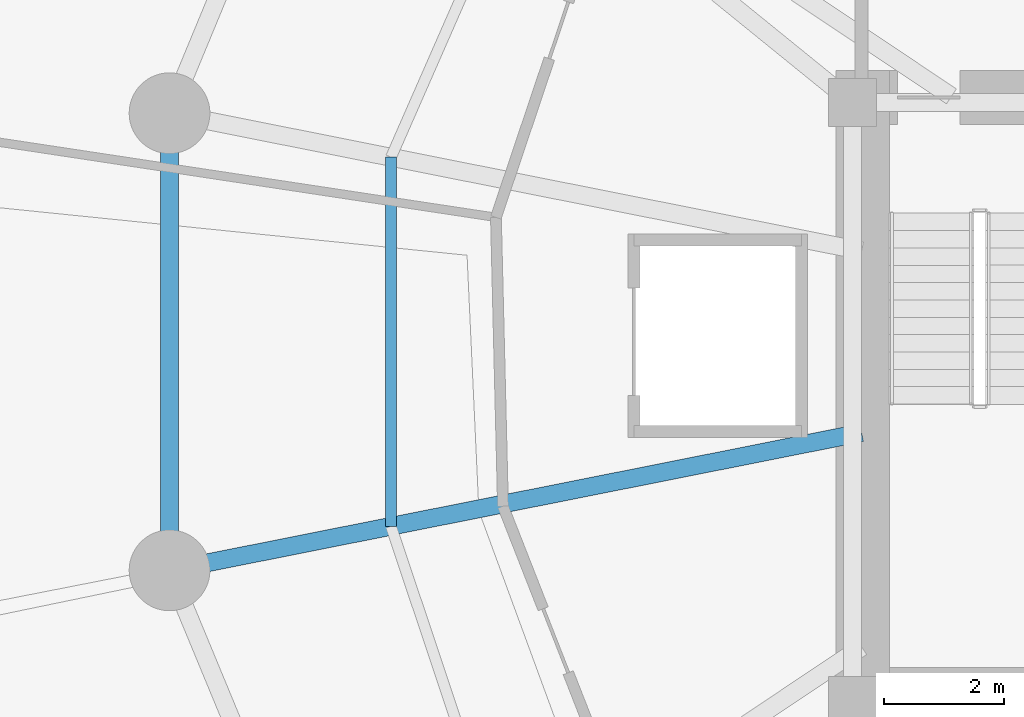
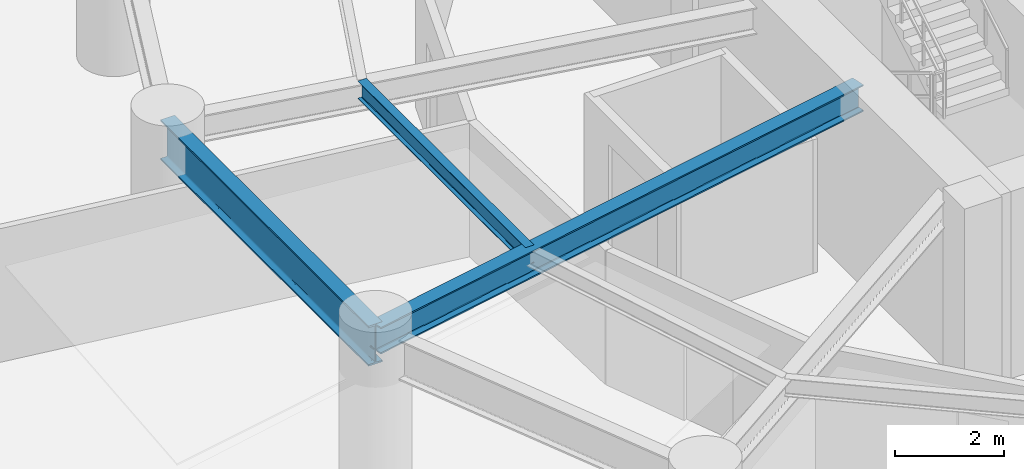
# One storey, part 5 of 17: 3 beams.
"""IFC4 building model written with IfcOpenShell, lengths in metres."""

from ifc_helpers import new_model, si_unit, direction, frame, origin, origin_2d, place, context, subcontext, project, spatial, i_section, extrude, material, material_profile, profile_set, type_object, element, save


model = new_model("IFC4")

# Units and contexts
model_context = context("Model", 3, precision=1e-05, world=origin(), true_north=direction((0.0, 1.0)))
body_context = subcontext(model_context, "Body", "Model", "MODEL_VIEW")
ifc_project = project(units=[si_unit("LENGTHUNIT", "METRE"), si_unit("AREAUNIT", "SQUARE_METRE"), si_unit("VOLUMEUNIT", "CUBIC_METRE"), si_unit("PLANEANGLEUNIT", "RADIAN"), si_unit("MASSUNIT", "GRAM", prefix="KILO"), si_unit("THERMODYNAMICTEMPERATUREUNIT", "KELVIN"), si_unit("POWERUNIT", "WATT")], contexts=[model_context])

# Site, building, storey
site_placement = place(None, origin())
site = spatial("IfcSite", under=ifc_project, at=site_placement, CompositionType="ELEMENT")
building_placement = place(site_placement, origin())
building = spatial("IfcBuilding", under=site, at=building_placement, Name="Ocrelia Relay Tower", CompositionType="ELEMENT")
storey_placement = place(building_placement, frame((0.0, 0.0, 80.39990234375)))
storey = spatial("IfcBuildingStorey", under=building, at=storey_placement, Name="L18", CompositionType="ELEMENT", Elevation=80.39990234375)

# Beams
ifc_material = material(Name="Steel S355", Category="steel")
ifc_material_profile_1 = material_profile(ifc_material, i_section(OverallWidth=0.300048828125, OverallDepth=0.60009765625, WebThickness=0.015380859375, FlangeThickness=0.030029296875, FilletRadius=0.027099609375, at=origin_2d()), Name="HEB 600")
ifc_profile_set_1 = profile_set([ifc_material_profile_1], Name="Steel S355")
beam_type_1 = type_object("IfcBeamType", Name="BM-HEB600", PredefinedType="BEAM", material=ifc_profile_set_1)
beam_1_placement = place(storey_placement, frame((14.776611328125, 22.17626953125, 3.6201171875), z_axis=(0.980786938484, 0.195081986098, 0.0), x_axis=(-0.195081986098, 0.980786938484, 0.0)))
element("IfcBeam", 1, at=beam_1_placement, inside=storey, type_object=beam_type_1, Name="L18 Radial Floor Girder R09", PredefinedType="BEAM", context=body_context, shape_type="SweptSolid", body=[
    extrude(i_section(OverallWidth=0.300048828125, OverallDepth=0.60009765625, WebThickness=0.015380859375, FlangeThickness=0.030029296875, FilletRadius=0.027099609375, at=origin_2d()), origin(), (0.0, 0.0, 1.0), 11.80517578125),
])
ifc_material_profile_2 = material_profile(ifc_material, i_section(OverallWidth=0.300048828125, OverallDepth=0.89990234375, WebThickness=0.0185546875, FlangeThickness=0.034912109375, FilletRadius=0.030029296875, at=origin_2d()), Name="HEB 900")
ifc_profile_set_2 = profile_set([ifc_material_profile_2], Name="Steel S355")
beam_type_2 = type_object("IfcBeamType", Name="BM-HEB900", PredefinedType="BEAM", material=ifc_profile_set_2)
beam_2_placement = place(storey_placement, frame((14.776611328125, 29.82373046875, 3.47021484375), z_axis=(0.0, -1.0, 0.0), x_axis=(1.0, 0.0, 0.0)))
element("IfcBeam", 2, at=beam_2_placement, inside=storey, type_object=beam_type_2, Name="L18 Perimeter Spandrel Beam S08", PredefinedType="BEAM", context=body_context, shape_type="SweptSolid", body=[
    extrude(i_section(OverallWidth=0.300048828125, OverallDepth=0.89990234375, WebThickness=0.0185546875, FlangeThickness=0.034912109375, FilletRadius=0.030029296875, at=origin_2d()), origin(), (0.0, 0.0, 1.0), 7.6474609375),
])
ifc_material_profile_3 = material_profile(ifc_material, i_section(OverallWidth=0.179931640625, OverallDepth=0.39990234375, WebThickness=0.008544921875, FlangeThickness=0.013427734375, FilletRadius=0.02099609375, at=origin_2d()), Name="IPE 400")
ifc_profile_set_3 = profile_set([ifc_material_profile_3], Name="Steel S355")
beam_type_3 = type_object("IfcBeamType", Name="BM-IPE400", PredefinedType="JOIST", material=ifc_profile_set_3)
beam_3_placement = place(storey_placement, frame((18.481689453125, 29.0869140625, 3.72021484375), z_axis=(0.0, -1.0, 0.0), x_axis=(1.0, 0.0, 0.0)))
element("IfcBeam", 3, at=beam_3_placement, inside=storey, type_object=beam_type_3, Name="L18 Secondary Floor Joist J08", PredefinedType="JOIST", context=body_context, shape_type="SweptSolid", body=[
    extrude(i_section(OverallWidth=0.179931640625, OverallDepth=0.39990234375, WebThickness=0.008544921875, FlangeThickness=0.013427734375, FilletRadius=0.02099609375, at=origin_2d()), origin(), (0.0, 0.0, 1.0), 6.173828125),
])

save(model, "model.ifc")
